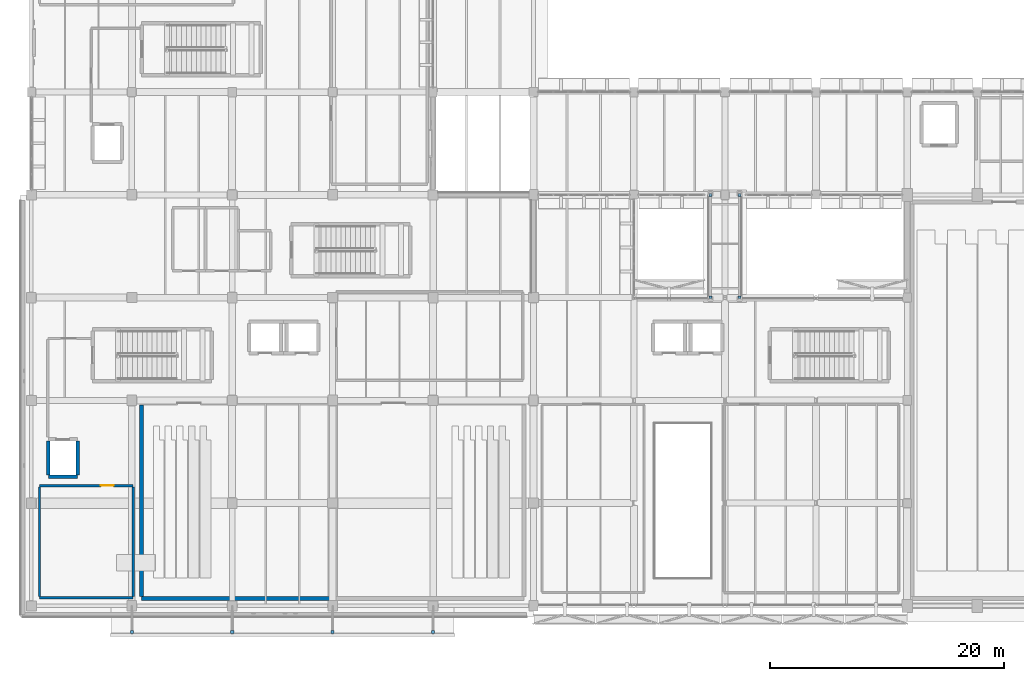
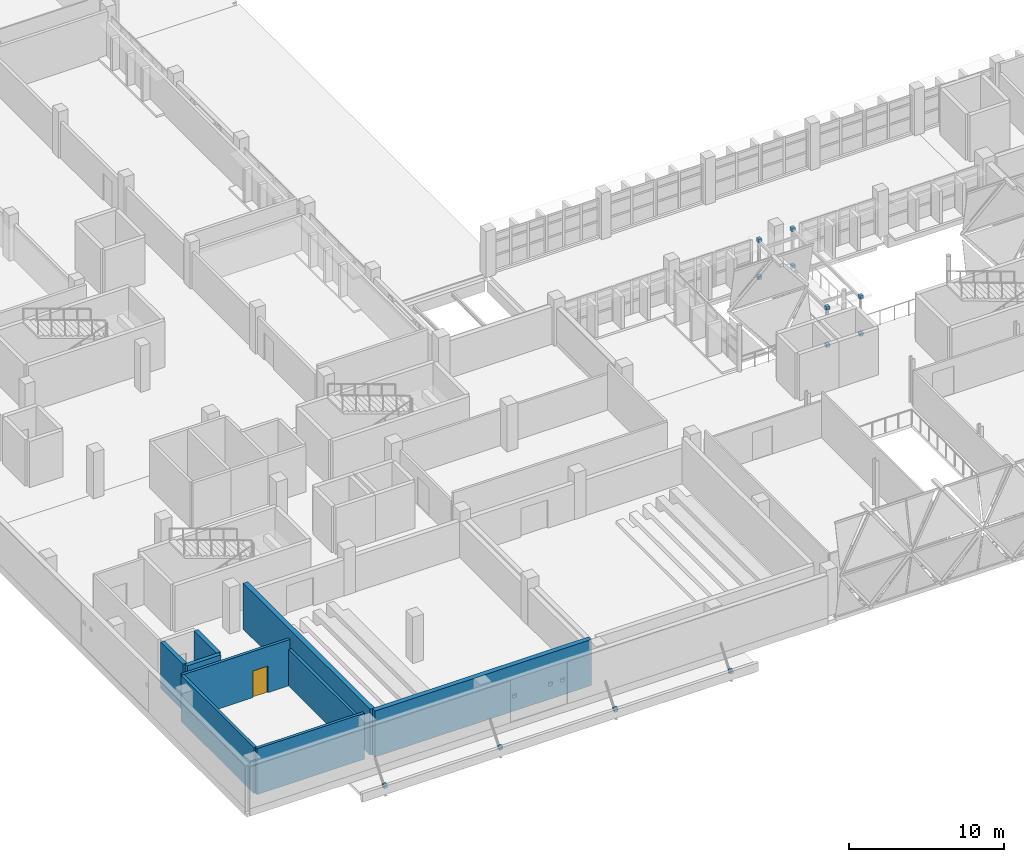
# One storey, part 57 of 80: 12 plates, 9 walls, 1 door, 1 opening.
"""IFC4 building model written with IfcOpenShell, lengths in metres."""

from ifc_helpers import new_model, si_unit, direction, frame, frame_2d, origin, origin_2d, place, context, subcontext, project, spatial, rectangle, extrude, material, layer, layer_set, type_object, element, fill, save


model = new_model("IFC4")

# Units and contexts
model_context = context("Model", 3, precision=1e-05, world=origin(), true_north=direction((0.0, 1.0)))
body_context = subcontext(model_context, "Body", "Model", "MODEL_VIEW")
ifc_project = project(units=[si_unit("LENGTHUNIT", "METRE"), si_unit("AREAUNIT", "SQUARE_METRE"), si_unit("VOLUMEUNIT", "CUBIC_METRE"), si_unit("PLANEANGLEUNIT", "RADIAN"), si_unit("MASSUNIT", "GRAM", prefix="KILO")], contexts=[model_context])

# Site, building, storey
site_placement = place(None, origin())
site = spatial("IfcSite", under=ifc_project, at=site_placement, CompositionType="ELEMENT")
building_placement = place(site_placement, origin())
building = spatial("IfcBuilding", under=site, at=building_placement, Name="Varnakota Cinema and Media Centre", CompositionType="ELEMENT")
storey_placement = place(building_placement, frame((0.0, 0.0, 4.5)))
storey = spatial("IfcBuildingStorey", under=building, at=storey_placement, Name="L01", CompositionType="ELEMENT", Elevation=4.5)

# Plates
ifc_material_1 = material(Name="Structural steel Grade 350 (E350)", Category="steel")
ifc_layer_1 = layer(ifc_material_1, 0.01611328125)
ifc_layer_set_1 = layer_set([ifc_layer_1], Name="Structural steel Grade 350 (E350)")
plate_type = type_object("IfcPlateType", Name="PL-NODE-16", PredefinedType="SHEET", material=ifc_layer_set_1)
for number, where, z_axis, x_axis, name in (
    (1, (8.60009765625, -2.25, -0.4501953125), (0.0, 0.0, 1.0), (1.0, 0.0, 0.0), "V4 marquee hanger clevis plate 1"),
    (2, (17.199951171875, -2.25, -0.4501953125), (0.0, 0.0, 1.0), (1.0, 0.0, 0.0), "V4 marquee hanger clevis plate 2"),
    (3, (25.800048828125, -2.25, -0.4501953125), (0.0, 0.0, 1.0), (1.0, 0.0, 0.0), "V4 marquee hanger clevis plate 3"),
    (4, (34.39990234375, -2.25, -0.4501953125), (0.0, 0.0, 1.0), (1.0, 0.0, 0.0), "V4 marquee hanger clevis plate 4"),
    (5, (58.14990234375, 26.39990234375, -0.3798828125), (0.0, 0.0, 1.0), (1.0, 0.0, 0.0), "L01 bridge BR1 post base plate 1.1"),
    (6, (58.14990234375, 26.39990234375, 2.56005859375), (0.0, 0.0, 1.0), (1.0, 0.0, 0.0), "L01 bridge BR1 post cap plate 1.1"),
    (7, (58.14990234375, 35.199951171875, -0.3798828125), (0.0, 0.0, 1.0), (1.0, 0.0, 0.0), "L01 bridge BR1 post base plate 1.2"),
    (8, (58.14990234375, 35.199951171875, 2.56005859375), (0.0, 0.0, 1.0), (1.0, 0.0, 0.0), "L01 bridge BR1 post cap plate 1.2"),
    (9, (60.64990234375, 26.39990234375, -0.3798828125), (0.0, 0.0, 1.0), (1.0, 0.0, 0.0), "L01 bridge BR1 post base plate 2.1"),
    (10, (60.64990234375, 26.39990234375, 2.56005859375), (0.0, 0.0, 1.0), (1.0, 0.0, 0.0), "L01 bridge BR1 post cap plate 2.1"),
    (11, (60.64990234375, 35.199951171875, -0.3798828125), (0.0, 0.0, 1.0), (1.0, 0.0, 0.0), "L01 bridge BR1 post base plate 2.2"),
    (12, (60.64990234375, 35.199951171875, 2.56005859375), (0.0, 0.0, 1.0), (1.0, 0.0, 0.0), "L01 bridge BR1 post cap plate 2.2"),
):
    element("IfcPlate", number, at=place(storey_placement, frame(where, z_axis=z_axis, x_axis=x_axis)), inside=storey, type_object=plate_type, Name=name, PredefinedType="SHEET", context=body_context, shape_type="SweptSolid", body=[
        extrude(rectangle(XDim=0.260009765625, YDim=0.260009765625, at=origin_2d()), origin(), (0.0, 0.0, 1.0), 0.260009765625),
    ])

# Walls
ifc_material_2 = material(Name="Autoclaved aerated concrete blockwork", Category="masonry")
ifc_layer_2 = layer(ifc_material_2, 0.2099609375)
ifc_layer_set_2 = layer_set([ifc_layer_2], Name="Autoclaved aerated concrete blockwork")
wall_type_1 = type_object("IfcWallType", Name="W-ACOUST-210", PredefinedType="PARTITIONING", material=ifc_layer_set_2)
wall_1_placement = place(storey_placement, frame((8.705078125, 0.695068359375, 0.0), z_axis=(0.0, 0.0, 1.0), x_axis=(-1.0, 0.0, 0.0)))
element("IfcWall", 13, at=wall_1_placement, inside=storey, type_object=wall_type_1, Name="L01 RWALL-RM-L01-POST1 S wall", PredefinedType="PARTITIONING", context=body_context, shape_type="SweptSolid", body=[
    extrude(rectangle(XDim=8.010009765625, YDim=0.2099609375, at=frame_2d((4.0048828125, 0.0))), origin(), (0.0, 0.0, 1.0), 3.6298828125),
])
wall_2_placement = place(storey_placement, frame((0.695068359375, 0.800048828125, 0.0), z_axis=(0.0, 0.0, 1.0), x_axis=(0.0, 1.0, 0.0)))
element("IfcWall", 14, at=wall_2_placement, inside=storey, type_object=wall_type_1, Name="L01 RWALL-RM-L01-POST1 W wall", PredefinedType="PARTITIONING", context=body_context, shape_type="SweptSolid", body=[
    extrude(rectangle(XDim=9.39990234375, YDim=0.2099609375, at=frame_2d((4.699951171875, 0.0))), origin(), (0.0, 0.0, 1.0), 3.6298828125),
])

# Wall, opening, door
wall_3_placement = place(storey_placement, frame((0.695068359375, 10.304931640625, 0.0), z_axis=(0.0, 0.0, 1.0), x_axis=(1.0, 0.0, 0.0)))
wall_3 = element("IfcWall", 15, at=wall_3_placement, inside=storey, type_object=wall_type_1, Name="L01 RWALL-RM-L01-POST1 N wall", PredefinedType="PARTITIONING", context=body_context, shape_type="SweptSolid", body=[
    extrude(rectangle(XDim=8.010009765625, YDim=0.2099609375, at=frame_2d((4.0048828125, 0.0))), origin(), (0.0, 0.0, 1.0), 3.6298828125),
])
opening_placement = place(wall_3_placement, frame((5.2548828125, 0.0, 0.0)))
opening = element("IfcOpeningElement", 16, at=opening_placement, cuts=wall_3, Name="Opening D-061", PredefinedType="OPENING", context=body_context, shape_type="SweptSolid", body=[
    extrude(rectangle(XDim=1.10009765625, YDim=2.10009765625, at=frame_2d((0.550048828125, 1.050048828125))), frame((0.0, 0.10498046875, 0.0), z_axis=(0.0, -1.0, 0.0), x_axis=(1.0, 0.0, 0.0)), (0.0, 0.0, 1.0), 0.2099609375),
])
ifc_material_3 = material(Name="Thermally broken anodised aluminium AW-6063", Category="aluminium")
door_type = type_object("IfcDoorType", Name="DR-STD-1100x2100", OperationType="NOTDEFINED", PredefinedType="DOOR", material=ifc_material_3)
door_placement = place(opening_placement, origin())
door = element("IfcDoor", 17, at=door_placement, inside=storey, type_object=door_type, Name="L01 door D-061", OperationType="SINGLE_SWING_LEFT", OverallHeight=2.10009765625, OverallWidth=1.10009765625, PredefinedType="DOOR", context=body_context, shape_type="SweptSolid", body=[
    extrude(rectangle(XDim=1.10009765625, YDim=2.10009765625, at=frame_2d((0.550048828125, 1.050048828125))), frame((0.0, 0.02490234375, 0.0), z_axis=(0.0, -1.0, 0.0), x_axis=(1.0, 0.0, 0.0)), (0.0, 0.0, 1.0), 0.050048828125),
])
fill(opening, door)

# Walls
wall_4_placement = place(storey_placement, frame((8.705078125, 10.199951171875, 0.0), z_axis=(0.0, 0.0, 1.0), x_axis=(0.0, -1.0, 0.0)))
element("IfcWall", 18, at=wall_4_placement, inside=storey, type_object=wall_type_1, Name="L01 RWALL-RM-L01-POST1 E wall", PredefinedType="PARTITIONING", context=body_context, shape_type="SweptSolid", body=[
    extrude(rectangle(XDim=9.39990234375, YDim=0.2099609375, at=frame_2d((4.699951171875, 0.0))), origin(), (0.0, 0.0, 1.0), 2.8798828125),
])
ifc_material_4 = material(Name="Concrete M40", Category="concrete")
ifc_layer_3 = layer(ifc_material_4, 0.300048828125)
ifc_layer_set_3 = layer_set([ifc_layer_3], Name="Concrete M40")
wall_type_2 = type_object("IfcWallType", Name="W-CORE-300", PredefinedType="SHEAR", material=ifc_layer_set_3)
wall_5_placement = place(storey_placement, frame((3.949951171875, 11.050048828125, 0.0), z_axis=(0.0, 0.0, 1.0), x_axis=(-1.0, 0.0, 0.0)))
element("IfcWall", 19, at=wall_5_placement, inside=storey, type_object=wall_type_2, Name="L01 LSHAFT-LF-01-L01 S wall", PredefinedType="SHEAR", context=body_context, shape_type="SweptSolid", body=[
    extrude(rectangle(XDim=2.5, YDim=0.300048828125, at=frame_2d((1.25, 0.0))), origin(), (0.0, 0.0, 1.0), 3.64990234375),
])
for number, where, z_axis, x_axis, name in (
    (20, (1.449951171875, 11.199951171875, 0.0), (0.0, 0.0, 1.0), (0.0, 1.0, 0.0), "L01 LSHAFT-LF-01-L01 W wall"),
    (21, (3.949951171875, 14.10009765625, 0.0), (0.0, 0.0, 1.0), (0.0, -1.0, 0.0), "L01 LSHAFT-LF-01-L01 E wall"),
):
    element("IfcWall", number, at=place(storey_placement, frame(where, z_axis=z_axis, x_axis=x_axis)), inside=storey, type_object=wall_type_2, Name=name, PredefinedType="SHEAR", context=body_context, shape_type="SweptSolid", body=[
        extrude(rectangle(XDim=2.900146484375, YDim=0.300048828125, at=frame_2d((1.4501953125, 0.0))), origin(), (0.0, 0.0, 1.0), 3.64990234375),
    ])
ifc_material_5 = material(Name="Concrete M40", Category="concrete")
ifc_layer_4 = layer(ifc_material_5, 0.35009765625)
ifc_layer_set_4 = layer_set([ifc_layer_4], Name="Concrete M40")
wall_type_3 = type_object("IfcWallType", Name="W-SEP-350", PredefinedType="SOLIDWALL", material=ifc_layer_set_4)
wall_6_placement = place(storey_placement, frame((25.574951171875, 0.625, 0.0), z_axis=(0.0, 0.0, 1.0), x_axis=(-1.0, 0.0, 0.0)))
element("IfcWall", 22, at=wall_6_placement, inside=storey, type_object=wall_type_3, Name="L01 RWALL-RM-L01-SCR2 S wall", PredefinedType="SOLIDWALL", context=body_context, shape_type="SweptSolid", body=[
    extrude(rectangle(XDim=16.14990234375, YDim=0.35009765625, at=frame_2d((8.074951171875, 0.0))), origin(), (0.0, 0.0, 1.0), 3.6298828125),
])
wall_7_placement = place(storey_placement, frame((9.425048828125, 0.800048828125, 0.0), z_axis=(0.0, 0.0, 1.0), x_axis=(0.0, 1.0, 0.0)))
element("IfcWall", 23, at=wall_7_placement, inside=storey, type_object=wall_type_3, Name="L01 RWALL-RM-L01-SCR2 W wall", PredefinedType="SOLIDWALL", context=body_context, shape_type="SweptSolid", body=[
    extrude(rectangle(XDim=16.39990234375, YDim=0.35009765625, at=frame_2d((8.199951171875, 0.0))), origin(), (0.0, 0.0, 1.0), 3.6298828125),
])

save(model, "model.ifc")
